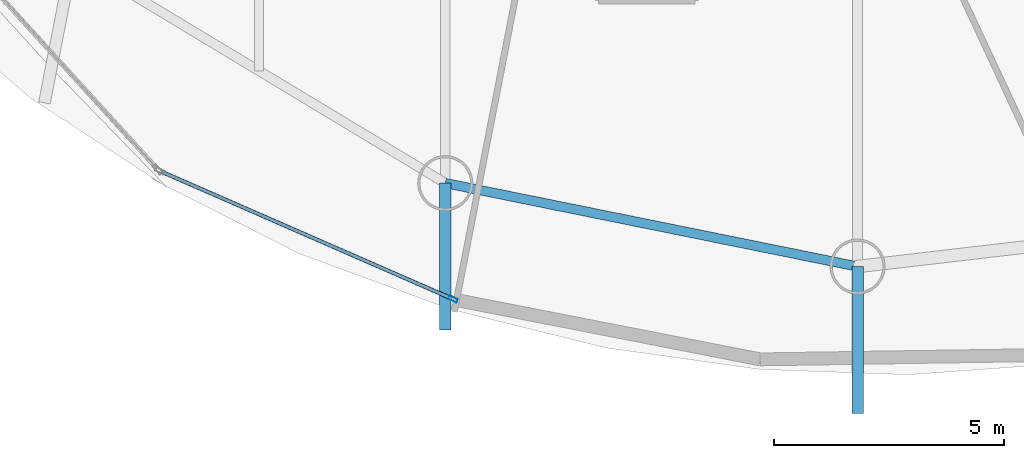
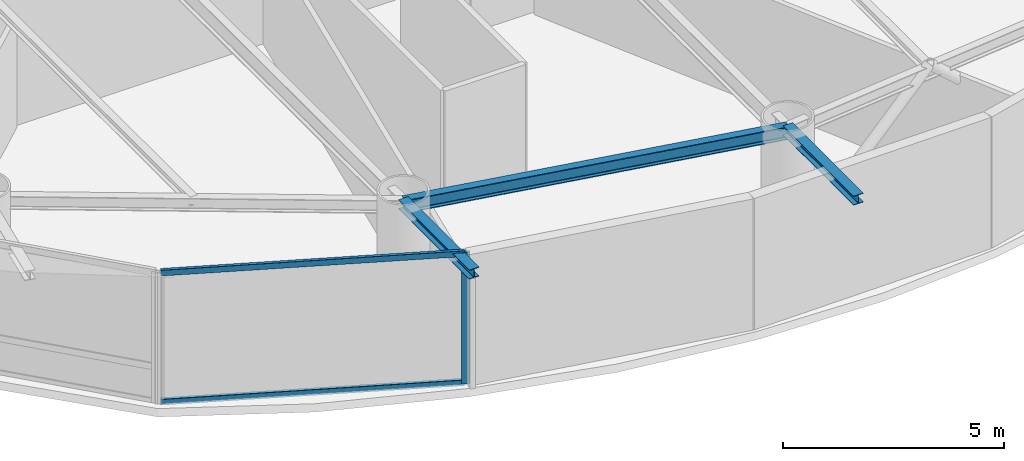
# One storey, part 4 of 22: 3 beams, 3 members, 1 element without a shape of its own.
"""IFC4 building model written with IfcOpenShell, lengths in metres."""

from ifc_helpers import new_model, si_unit, direction, frame, origin, origin_2d, place, context, subcontext, project, spatial, hollow_rectangle, i_section, extrude, material, layer, layer_set, material_profile, profile_set, type_object, element, aggregate, save


model = new_model("IFC4")

# Units and contexts
model_context = context("Model", 3, precision=1e-05, world=origin(), true_north=direction((0.0, 1.0)))
body_context = subcontext(model_context, "Body", "Model", "MODEL_VIEW")
ifc_project = project(units=[si_unit("LENGTHUNIT", "METRE"), si_unit("AREAUNIT", "SQUARE_METRE"), si_unit("VOLUMEUNIT", "CUBIC_METRE"), si_unit("PLANEANGLEUNIT", "RADIAN"), si_unit("MASSUNIT", "GRAM", prefix="KILO")], contexts=[model_context])

# Site, building, storey
site_placement = place(None, origin())
site = spatial("IfcSite", under=ifc_project, at=site_placement, CompositionType="ELEMENT")
building_placement = place(site_placement, origin())
building = spatial("IfcBuilding", under=site, at=building_placement, Name="Bramvorn Convention Spire", CompositionType="ELEMENT")
storey_placement = place(building_placement, frame((0.0, 0.0, 213.550048828125)))
storey = spatial("IfcBuildingStorey", under=building, at=storey_placement, Name="L54", CompositionType="ELEMENT", Elevation=213.550048828125)

# Beams
ifc_material_1 = material(Name="Steel CSA G40.21 Grade 350 (350W)", Category="steel")
ifc_material_profile_1 = material_profile(ifc_material_1, i_section(OverallWidth=0.25390625, OverallDepth=0.2529296875, WebThickness=0.008544921875, FlangeThickness=0.01416015625, FilletRadius=0.011962890625, at=origin_2d()))
ifc_profile_set_1 = profile_set([ifc_material_profile_1], Name="Steel CSA G40.21 Grade 350 (350W) - W250X73")
beam_type_1 = type_object("IfcBeamType", Name="BM-W250X73", PredefinedType="BEAM", material=ifc_profile_set_1)
for number, where, z_axis, x_axis, name in (
    (1, (33.61083984375, 7.227783203125, 3.493408203125), (0.0, -1.0, 0.0), (1.0, 0.0, 0.0), "L54 slab-edge cantilever tip beam MC14"),
    (2, (42.583740234375, 5.41162109375, 3.493408203125), (0.0, -1.0, 0.0), (1.0, 0.0, 0.0), "L54 slab-edge cantilever tip beam MC15"),
):
    element("IfcBeam", number, at=place(storey_placement, frame(where, z_axis=z_axis, x_axis=x_axis)), inside=storey, type_object=beam_type_1, Name=name, PredefinedType="BEAM", context=body_context, shape_type="SweptSolid", body=[
        extrude(i_section(OverallWidth=0.25390625, OverallDepth=0.2529296875, WebThickness=0.008544921875, FlangeThickness=0.01416015625, FilletRadius=0.011962890625, at=origin_2d()), origin(), (0.0, 0.0, 1.0), 3.199951171875),
    ])
ifc_material_profile_2 = material_profile(ifc_material_1, i_section(OverallWidth=0.205078125, OverallDepth=0.35400390625, WebThickness=0.009521484375, FlangeThickness=0.016845703125, FilletRadius=0.014892578125, at=origin_2d()))
ifc_profile_set_2 = profile_set([ifc_material_profile_2], Name="Steel CSA G40.21 Grade 350 (350W) - W360X79")
beam_type_2 = type_object("IfcBeamType", Name="BM-W360X79", PredefinedType="JOIST", material=ifc_profile_set_2)
beam_placement = place(storey_placement, frame((33.61083984375, 7.227783203125, 3.44287109375), z_axis=(0.980124701676, -0.198382381187, 0.0), x_axis=(0.198382381187, 0.980124701676, 0.0)))
element("IfcBeam", 3, at=beam_placement, inside=storey, type_object=beam_type_2, Name="L54 mega-column ring beam 14", PredefinedType="JOIST", context=body_context, shape_type="SweptSolid", body=[
    extrude(i_section(OverallWidth=0.205078125, OverallDepth=0.35400390625, WebThickness=0.009521484375, FlangeThickness=0.016845703125, FilletRadius=0.014892578125, at=origin_2d()), origin(), (0.0, 0.0, 1.0), 9.15478515625),
])

# Curtain wall, members
ifc_material_2 = material(Name="Anodised Bronze Unitised Curtain Wall", Category="aluminium")
ifc_layer = layer(ifc_material_2, 0.179931640625)
ifc_layer_set = layer_set([ifc_layer], Name="Anodised Bronze Unitised Curtain Wall - CW-OFF-FRIT")
curtain_wall_type = type_object("IfcCurtainWallType", Name="CW-OFF-FRIT", PredefinedType="USERDEFINED", material=ifc_layer_set)
curtain_wall_placement = place(storey_placement, origin())
curtain_wall = element("IfcCurtainWall", 4, at=curtain_wall_placement, inside=storey, type_object=curtain_wall_type, Name="L54 fritted glass curtain wall 20", ObjectType="UNITISED CURTAIN WALL", PredefinedType="USERDEFINED")
ifc_material_3 = material(Name="Anodised Bronze Aluminium 6063-T6", Category="aluminium")
ifc_material_profile_3 = material_profile(ifc_material_3, hollow_rectangle(XDim=0.080078125, YDim=0.199951171875, WallThickness=0.00390625, InnerFilletRadius=0.0009765625, OuterFilletRadius=0.00390625, at=origin_2d()))
ifc_profile_set_3 = profile_set([ifc_material_profile_3], Name="Anodised Bronze Aluminium 6063-T6 - CWM80X200")
member_type_1 = type_object("IfcMemberType", Name="CW-MUL-180", PredefinedType="MULLION", material=ifc_profile_set_3)
member_1_placement = place(storey_placement, frame((33.778564453125, 4.70361328125, 0.0), z_axis=(0.0, 0.0, 1.0), x_axis=(-0.400501112446, -0.916296272463, 0.0)))
member_1 = element("IfcMember", 5, at=member_1_placement, type_object=member_type_1, Name="CW3 mullion 1", PredefinedType="MULLION", context=body_context, shape_type="SweptSolid", body=[
    extrude(hollow_rectangle(XDim=0.080078125, YDim=0.199951171875, WallThickness=0.00390625, InnerFilletRadius=0.0009765625, OuterFilletRadius=0.00390625, at=origin_2d()), origin(), (0.0, 0.0, 1.0), 3.619873046875),
])
ifc_material_profile_4 = material_profile(ifc_material_3, hollow_rectangle(XDim=0.080078125, YDim=0.159912109375, WallThickness=0.00390625, InnerFilletRadius=0.0009765625, OuterFilletRadius=0.00390625, at=origin_2d()))
ifc_profile_set_4 = profile_set([ifc_material_profile_4], Name="Anodised Bronze Aluminium 6063-T6 - CWT80X160")
member_type_2 = type_object("IfcMemberType", Name="CW-TRN-150", PredefinedType="USERDEFINED", material=ifc_profile_set_4)
member_2_placement = place(storey_placement, frame((33.751220703125, 4.715576171875, 0.030029296875), z_axis=(-0.916305925179, 0.400479027518, 0.0), x_axis=(-0.400479027518, -0.916305925179, 0.0)))
member_2 = element("IfcMember", 6, at=member_2_placement, type_object=member_type_2, Name="CW3 transom 1.1", ObjectType="TRANSOM", PredefinedType="USERDEFINED", context=body_context, shape_type="SweptSolid", body=[
    extrude(hollow_rectangle(XDim=0.080078125, YDim=0.159912109375, WallThickness=0.00390625, InnerFilletRadius=0.0009765625, OuterFilletRadius=0.00390625, at=origin_2d()), origin(), (0.0, 0.0, 1.0), 6.89794921875),
])
member_3_placement = place(storey_placement, frame((33.751220703125, 4.715576171875, 3.58984375), z_axis=(-0.916305925179, 0.400479027518, 0.0), x_axis=(-0.400479027518, -0.916305925179, 0.0)))
member_3 = element("IfcMember", 7, at=member_3_placement, type_object=member_type_2, Name="CW3 transom 1.2", ObjectType="TRANSOM", PredefinedType="USERDEFINED", context=body_context, shape_type="SweptSolid", body=[
    extrude(hollow_rectangle(XDim=0.080078125, YDim=0.159912109375, WallThickness=0.00390625, InnerFilletRadius=0.0009765625, OuterFilletRadius=0.00390625, at=origin_2d()), origin(), (0.0, 0.0, 1.0), 6.89794921875),
])
aggregate(curtain_wall, [member_1, member_2, member_3])

save(model, "model.ifc")
